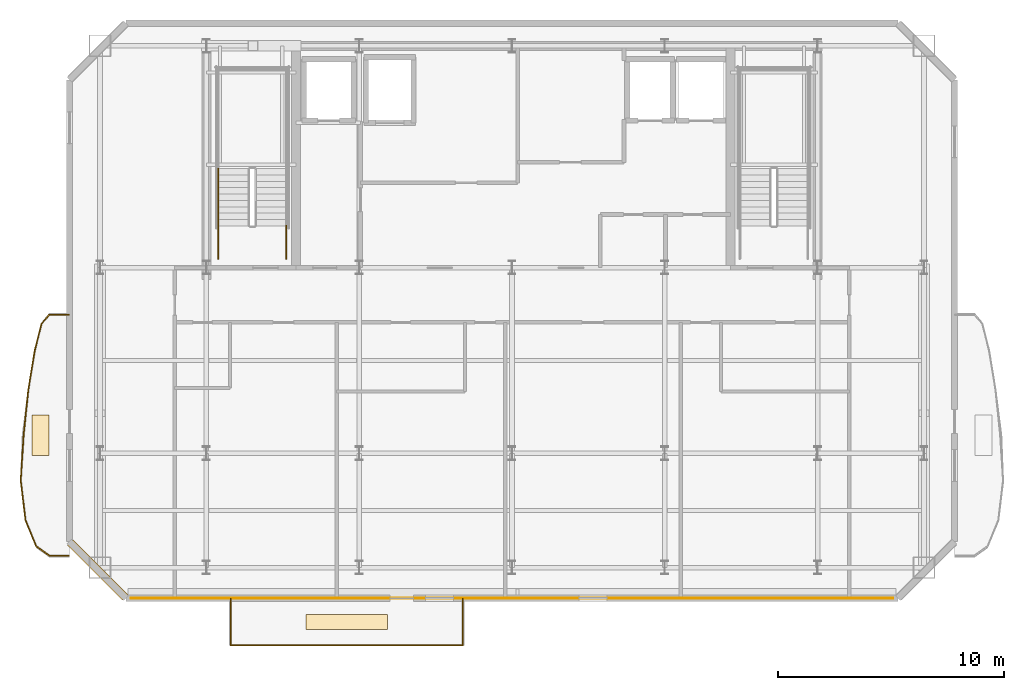
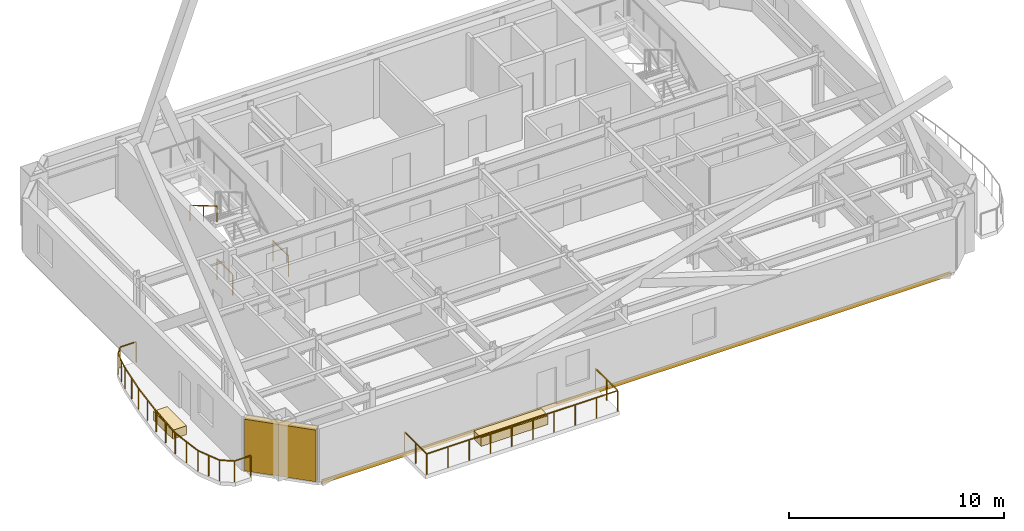
# One storey, part 5 of 7: 16 railings, 3 coverings, 1 shading device.
"""IFC4 building model written with IfcOpenShell, lengths in metres."""

from ifc_helpers import new_model, si_unit, direction, frame, origin, origin_2d, place, context, subcontext, project, spatial, rectangle, extrude, material, layer, layer_set, type_object, element, save


model = new_model("IFC4")

# Units and contexts
model_context = context("Model", 3, precision=1e-05, world=origin(), true_north=direction((0.0, 1.0)))
body_context = subcontext(model_context, "Body", "Model", "MODEL_VIEW")
ifc_project = project(units=[si_unit("LENGTHUNIT", "METRE"), si_unit("AREAUNIT", "SQUARE_METRE"), si_unit("VOLUMEUNIT", "CUBIC_METRE"), si_unit("PLANEANGLEUNIT", "RADIAN"), si_unit("MASSUNIT", "GRAM", prefix="KILO")], contexts=[model_context])

# Site, building, storey
site_placement = place(None, origin())
site = spatial("IfcSite", under=ifc_project, at=site_placement, CompositionType="ELEMENT")
building_placement = place(site_placement, origin())
building = spatial("IfcBuilding", under=site, at=building_placement, Name="Haevon Station Towers", CompositionType="ELEMENT")
storey_placement = place(building_placement, frame((0.0, 0.0, 259.199951171875)))
storey = spatial("IfcBuildingStorey", under=building, at=storey_placement, Name="L72", CompositionType="ELEMENT", Elevation=259.199951171875)

# Covering
ifc_material_1 = material(Name="Anodised aluminium 6063-T6", Category="aluminium")
ifc_layer_1 = layer(ifc_material_1, 0.0400390625)
ifc_layer_set_1 = layer_set([ifc_layer_1], Name="Anodised aluminium 6063-T6")
covering_type_1 = type_object("IfcCoveringType", Name="COV-CLAD40", PredefinedType="CLADDING", material=ifc_layer_set_1)
covering_1_placement = place(storey_placement, frame((37.5, 23.60009765625, -0.23974609375), z_axis=(0.0, 0.0, 1.0), x_axis=(1.0, 0.0, 0.0)))
element("IfcCovering", 1, at=covering_1_placement, inside=storey, type_object=covering_type_1, Name="Tower 1 L72 Spandrel Fascia Cladding", PredefinedType="CLADDING", context=body_context, shape_type="SweptSolid", body=[
    extrude(rectangle(XDim=33.699951171875, YDim=0.0400390625, at=origin_2d()), origin(), (0.0, 0.0, 1.0), 0.239990234375),
])

# Railings
ifc_material_2 = material(Name="Steel S355", Category="steel")
railing_type_1 = type_object("IfcRailingType", Name="GRD-EXT1200", PredefinedType="GUARDRAIL", material=ifc_material_2)
railing_1_placement = place(storey_placement, frame((17.926513671875, 36.1220703125, 0.0)))
element("IfcRailing", 2, at=railing_1_placement, inside=storey, type_object=railing_type_1, Name="L72 Perimeter Guardrail 1", PredefinedType="GUARDRAIL", context=body_context, shape_type="SweptSolid", body=[
    extrude(rectangle(XDim=0.048095703125, YDim=0.048095703125, at=origin_2d()), frame((0.0, 0.0, 1.17578125), z_axis=(-0.999997476494, -0.002246554286, 0.0), x_axis=(0.002246554286, -0.999997476494, 0.0)), (0.0, 0.0, 1.0), 0.869384765625),
    extrude(rectangle(XDim=0.0419921875, YDim=0.0419921875, at=origin_2d()), origin(), (0.0, 0.0, 1.0), 1.15185546875),
    extrude(rectangle(XDim=0.0419921875, YDim=0.0419921875, at=origin_2d()), frame((-0.869384765625, -0.001953125, 0.0)), (0.0, 0.0, 1.0), 1.15185546875),
])
railing_2_placement = place(storey_placement, frame((17.05712890625, 36.1201171875, 0.0)))
element("IfcRailing", 3, at=railing_2_placement, inside=storey, type_object=railing_type_1, Name="L72 Perimeter Guardrail 2", PredefinedType="GUARDRAIL", context=body_context, shape_type="SweptSolid", body=[
    extrude(rectangle(XDim=0.048095703125, YDim=0.048095703125, at=origin_2d()), frame((0.0, 0.0, 1.17578125), z_axis=(-0.643575732085, -0.76538243844, 0.0), x_axis=(0.76538243844, -0.643575732085, 0.0)), (0.0, 0.0, 1.0), 0.537109375),
    extrude(rectangle(XDim=0.0419921875, YDim=0.0419921875, at=origin_2d()), origin(), (0.0, 0.0, 1.0), 1.15185546875),
    extrude(rectangle(XDim=0.0419921875, YDim=0.0419921875, at=origin_2d()), frame((-0.345703125, -0.4111328125, 0.0)), (0.0, 0.0, 1.0), 1.15185546875),
])
railing_3_placement = place(storey_placement, frame((16.71142578125, 35.708984375, 0.0)))
element("IfcRailing", 4, at=railing_3_placement, inside=storey, type_object=railing_type_1, Name="L72 Perimeter Guardrail 3", PredefinedType="GUARDRAIL", context=body_context, shape_type="SweptSolid", body=[
    extrude(rectangle(XDim=0.048095703125, YDim=0.048095703125, at=origin_2d()), frame((0.0, 0.0, 1.17578125), z_axis=(-0.243392420276, -0.969927899254, 0.0), x_axis=(0.969927899254, -0.243392420276, 0.0)), (0.0, 0.0, 1.0), 1.206787109375),
    extrude(rectangle(XDim=0.0419921875, YDim=0.0419921875, at=origin_2d()), origin(), (0.0, 0.0, 1.0), 1.15185546875),
    extrude(rectangle(XDim=0.0419921875, YDim=0.0419921875, at=origin_2d()), frame((-0.14697265625, -0.585205078125, 0.0)), (0.0, 0.0, 1.0), 1.15185546875),
    extrude(rectangle(XDim=0.0419921875, YDim=0.0419921875, at=origin_2d()), frame((-0.293701171875, -1.17041015625, 0.0)), (0.0, 0.0, 1.0), 1.15185546875),
])
railing_4_placement = place(storey_placement, frame((16.417724609375, 34.53857421875, 0.0)))
element("IfcRailing", 5, at=railing_4_placement, inside=storey, type_object=railing_type_1, Name="L72 Perimeter Guardrail 4", PredefinedType="GUARDRAIL", context=body_context, shape_type="SweptSolid", body=[
    extrude(rectangle(XDim=0.048095703125, YDim=0.048095703125, at=origin_2d()), frame((0.0, 0.0, 1.17578125), z_axis=(-0.162232317079, -0.986752590721, 0.0), x_axis=(0.986752590721, -0.162232317079, 0.0)), (0.0, 0.0, 1.0), 1.772705078125),
    extrude(rectangle(XDim=0.0419921875, YDim=0.0419921875, at=origin_2d()), origin(), (0.0, 0.0, 1.0), 1.15185546875),
    extrude(rectangle(XDim=0.0419921875, YDim=0.0419921875, at=origin_2d()), frame((-0.143798828125, -0.87451171875, 0.0)), (0.0, 0.0, 1.0), 1.15185546875),
    extrude(rectangle(XDim=0.0419921875, YDim=0.0419921875, at=origin_2d()), frame((-0.28759765625, -1.749267578125, 0.0)), (0.0, 0.0, 1.0), 1.15185546875),
])
railing_5_placement = place(storey_placement, frame((16.130126953125, 32.789306640625, 0.0)))
element("IfcRailing", 6, at=railing_5_placement, inside=storey, type_object=railing_type_1, Name="L72 Perimeter Guardrail 5", PredefinedType="GUARDRAIL", context=body_context, shape_type="SweptSolid", body=[
    extrude(rectangle(XDim=0.048095703125, YDim=0.048095703125, at=origin_2d()), frame((0.0, 0.0, 1.17578125), z_axis=(-0.102549270738, -0.994727926154, 0.0), x_axis=(0.994727926154, -0.102549270738, 0.0)), (0.0, 0.0, 1.0), 1.999755859375),
    extrude(rectangle(XDim=0.0419921875, YDim=0.0419921875, at=origin_2d()), origin(), (0.0, 0.0, 1.0), 1.15185546875),
    extrude(rectangle(XDim=0.0419921875, YDim=0.0419921875, at=origin_2d()), frame((-0.1025390625, -0.99462890625, 0.0)), (0.0, 0.0, 1.0), 1.15185546875),
    extrude(rectangle(XDim=0.0419921875, YDim=0.0419921875, at=origin_2d()), frame((-0.205078125, -1.9892578125, 0.0)), (0.0, 0.0, 1.0), 1.15185546875),
])
railing_6_placement = place(storey_placement, frame((15.925048828125, 30.800048828125, 0.0)))
element("IfcRailing", 7, at=railing_6_placement, inside=storey, type_object=railing_type_1, Name="L72 Perimeter Guardrail 6", PredefinedType="GUARDRAIL", context=body_context, shape_type="SweptSolid", body=[
    extrude(rectangle(XDim=0.048095703125, YDim=0.048095703125, at=origin_2d()), frame((0.0, 0.0, 1.17578125), z_axis=(-0.06356545678, -0.997977671446, 0.0), x_axis=(0.997977671446, -0.06356545678, 0.0)), (0.0, 0.0, 1.0), 1.997314453125),
    extrude(rectangle(XDim=0.0419921875, YDim=0.0419921875, at=origin_2d()), origin(), (0.0, 0.0, 1.0), 1.15185546875),
    extrude(rectangle(XDim=0.0419921875, YDim=0.0419921875, at=origin_2d()), frame((-0.0634765625, -0.99658203125, 0.0)), (0.0, 0.0, 1.0), 1.15185546875),
    extrude(rectangle(XDim=0.0419921875, YDim=0.0419921875, at=origin_2d()), frame((-0.126953125, -1.9931640625, 0.0)), (0.0, 0.0, 1.0), 1.15185546875),
])
railing_7_placement = place(storey_placement, frame((15.798095703125, 28.806884765625, 0.0)))
element("IfcRailing", 8, at=railing_7_placement, inside=storey, type_object=railing_type_1, Name="L72 Perimeter Guardrail 7", PredefinedType="GUARDRAIL", context=body_context, shape_type="SweptSolid", body=[
    extrude(rectangle(XDim=0.048095703125, YDim=0.048095703125, at=origin_2d()), frame((0.0, 0.0, 1.17578125), z_axis=(0.117711016598, -0.993047892386, 0.0), x_axis=(0.993047892386, 0.117711016598, 0.0)), (0.0, 0.0, 1.0), 1.7587890625),
    extrude(rectangle(XDim=0.0419921875, YDim=0.0419921875, at=origin_2d()), origin(), (0.0, 0.0, 1.0), 1.15185546875),
    extrude(rectangle(XDim=0.0419921875, YDim=0.0419921875, at=origin_2d()), frame((0.103515625, -0.873291015625, 0.0)), (0.0, 0.0, 1.0), 1.15185546875),
    extrude(rectangle(XDim=0.0419921875, YDim=0.0419921875, at=origin_2d()), frame((0.20703125, -1.74658203125, 0.0)), (0.0, 0.0, 1.0), 1.15185546875),
])
railing_8_placement = place(storey_placement, frame((16.005126953125, 27.060302734375, 0.0)))
element("IfcRailing", 9, at=railing_8_placement, inside=storey, type_object=railing_type_1, Name="L72 Perimeter Guardrail 8", PredefinedType="GUARDRAIL", context=body_context, shape_type="SweptSolid", body=[
    extrude(rectangle(XDim=0.048095703125, YDim=0.048095703125, at=origin_2d()), frame((0.0, 0.0, 1.17578125), z_axis=(0.379437630332, -0.925217317546, 0.0), x_axis=(0.925217317546, 0.379437630332, 0.0)), (0.0, 0.0, 1.0), 1.263671875),
    extrude(rectangle(XDim=0.0419921875, YDim=0.0419921875, at=origin_2d()), origin(), (0.0, 0.0, 1.0), 1.15185546875),
    extrude(rectangle(XDim=0.0419921875, YDim=0.0419921875, at=origin_2d()), frame((0.23974609375, -0.58447265625, 0.0)), (0.0, 0.0, 1.0), 1.15185546875),
    extrude(rectangle(XDim=0.0419921875, YDim=0.0419921875, at=origin_2d()), frame((0.4794921875, -1.169189453125, 0.0)), (0.0, 0.0, 1.0), 1.15185546875),
])
railing_9_placement = place(storey_placement, frame((16.484619140625, 25.89111328125, 0.0)))
element("IfcRailing", 10, at=railing_9_placement, inside=storey, type_object=railing_type_1, Name="L72 Perimeter Guardrail 9", PredefinedType="GUARDRAIL", context=body_context, shape_type="SweptSolid", body=[
    extrude(rectangle(XDim=0.048095703125, YDim=0.048095703125, at=origin_2d()), frame((0.0, 0.0, 1.17578125), z_axis=(0.812092296848, -0.583529006477, 0.0), x_axis=(0.583529006477, 0.812092296848, 0.0)), (0.0, 0.0, 1.0), 0.705078125),
    extrude(rectangle(XDim=0.0419921875, YDim=0.0419921875, at=origin_2d()), origin(), (0.0, 0.0, 1.0), 1.15185546875),
    extrude(rectangle(XDim=0.0419921875, YDim=0.0419921875, at=origin_2d()), frame((0.572509765625, -0.411376953125, 0.0)), (0.0, 0.0, 1.0), 1.15185546875),
])
railing_10_placement = place(storey_placement, frame((17.05712890625, 25.479736328125, 0.0)))
element("IfcRailing", 11, at=railing_10_placement, inside=storey, type_object=railing_type_1, Name="L72 Perimeter Guardrail 10", PredefinedType="GUARDRAIL", context=body_context, shape_type="SweptSolid", body=[
    extrude(rectangle(XDim=0.048095703125, YDim=0.048095703125, at=origin_2d()), frame((0.0, 0.0, 1.17578125), z_axis=(0.999997476494, -0.002246554286, 0.0), x_axis=(0.002246554286, 0.999997476494, 0.0)), (0.0, 0.0, 1.0), 0.869384765625),
    extrude(rectangle(XDim=0.0419921875, YDim=0.0419921875, at=origin_2d()), origin(), (0.0, 0.0, 1.0), 1.15185546875),
    extrude(rectangle(XDim=0.0419921875, YDim=0.0419921875, at=origin_2d()), frame((0.869384765625, -0.001953125, 0.0)), (0.0, 0.0, 1.0), 1.15185546875),
])
railing_11_placement = place(storey_placement, frame((25.078369140625, 21.515869140625, 0.0)))
element("IfcRailing", 12, at=railing_11_placement, inside=storey, type_object=railing_type_1, Name="L72 Perimeter Guardrail 1", PredefinedType="GUARDRAIL", context=body_context, shape_type="SweptSolid", body=[
    extrude(rectangle(XDim=0.048095703125, YDim=0.048095703125, at=origin_2d()), frame((0.0, 0.0, 1.17578125), z_axis=(1.0, 0.0, 0.0), x_axis=(0.0, 1.0, 0.0)), (0.0, 0.0, 1.0), 10.2431640625),
    extrude(rectangle(XDim=0.0419921875, YDim=0.0419921875, at=origin_2d()), origin(), (0.0, 0.0, 1.0), 1.15185546875),
    extrude(rectangle(XDim=0.0419921875, YDim=0.0419921875, at=origin_2d()), frame((1.13818359375, 0.0, 0.0)), (0.0, 0.0, 1.0), 1.15185546875),
    extrude(rectangle(XDim=0.0419921875, YDim=0.0419921875, at=origin_2d()), frame((2.2763671875, 0.0, 0.0)), (0.0, 0.0, 1.0), 1.15185546875),
    extrude(rectangle(XDim=0.0419921875, YDim=0.0419921875, at=origin_2d()), frame((3.414306640625, 0.0, 0.0)), (0.0, 0.0, 1.0), 1.15185546875),
    extrude(rectangle(XDim=0.0419921875, YDim=0.0419921875, at=origin_2d()), frame((4.552490234375, 0.0, 0.0)), (0.0, 0.0, 1.0), 1.15185546875),
    extrude(rectangle(XDim=0.0419921875, YDim=0.0419921875, at=origin_2d()), frame((5.690673828125, 0.0, 0.0)), (0.0, 0.0, 1.0), 1.15185546875),
    extrude(rectangle(XDim=0.0419921875, YDim=0.0419921875, at=origin_2d()), frame((6.828857421875, 0.0, 0.0)), (0.0, 0.0, 1.0), 1.15185546875),
    extrude(rectangle(XDim=0.0419921875, YDim=0.0419921875, at=origin_2d()), frame((7.966796875, 0.0, 0.0)), (0.0, 0.0, 1.0), 1.15185546875),
    extrude(rectangle(XDim=0.0419921875, YDim=0.0419921875, at=origin_2d()), frame((9.10498046875, 0.0, 0.0)), (0.0, 0.0, 1.0), 1.15185546875),
    extrude(rectangle(XDim=0.0419921875, YDim=0.0419921875, at=origin_2d()), frame((10.2431640625, 0.0, 0.0)), (0.0, 0.0, 1.0), 1.15185546875),
])
railing_12_placement = place(storey_placement, frame((35.321533203125, 21.515869140625, 0.0)))
element("IfcRailing", 13, at=railing_12_placement, inside=storey, type_object=railing_type_1, Name="L72 Perimeter Guardrail 2", PredefinedType="GUARDRAIL", context=body_context, shape_type="SweptSolid", body=[
    extrude(rectangle(XDim=0.048095703125, YDim=0.048095703125, at=origin_2d()), frame((0.0, 0.0, 1.17578125), z_axis=(0.0, 1.0, 0.0), x_axis=(-1.0, 0.0, 0.0)), (0.0, 0.0, 1.0), 2.063232421875),
    extrude(rectangle(XDim=0.0419921875, YDim=0.0419921875, at=origin_2d()), origin(), (0.0, 0.0, 1.0), 1.15185546875),
    extrude(rectangle(XDim=0.0419921875, YDim=0.0419921875, at=origin_2d()), frame((0.0, 1.03173828125, 0.0)), (0.0, 0.0, 1.0), 1.15185546875),
    extrude(rectangle(XDim=0.0419921875, YDim=0.0419921875, at=origin_2d()), frame((0.0, 2.063232421875, 0.0)), (0.0, 0.0, 1.0), 1.15185546875),
])
railing_13_placement = place(storey_placement, frame((25.078369140625, 23.5791015625, 0.0)))
element("IfcRailing", 14, at=railing_13_placement, inside=storey, type_object=railing_type_1, Name="L72 Perimeter Guardrail 3", PredefinedType="GUARDRAIL", context=body_context, shape_type="SweptSolid", body=[
    extrude(rectangle(XDim=0.048095703125, YDim=0.048095703125, at=origin_2d()), frame((0.0, 0.0, 1.17578125), z_axis=(0.0, -1.0, 0.0), x_axis=(1.0, 0.0, 0.0)), (0.0, 0.0, 1.0), 2.063232421875),
    extrude(rectangle(XDim=0.0419921875, YDim=0.0419921875, at=origin_2d()), origin(), (0.0, 0.0, 1.0), 1.15185546875),
    extrude(rectangle(XDim=0.0419921875, YDim=0.0419921875, at=origin_2d()), frame((0.0, -1.03173828125, 0.0)), (0.0, 0.0, 1.0), 1.15185546875),
    extrude(rectangle(XDim=0.0419921875, YDim=0.0419921875, at=origin_2d()), frame((0.0, -2.063232421875, 0.0)), (0.0, 0.0, 1.0), 1.15185546875),
])
railing_type_2 = type_object("IfcRailingType", Name="GRD-STR1200", PredefinedType="GUARDRAIL", material=ifc_material_2)
for number, where, name in (
    (15, (27.530029296875, 38.60009765625, 0.0), "L72 ST1 Stair Guard 8"),
    (16, (24.530029296875, 38.60009765625, 0.0), "L72 ST1 Stair Guard 9"),
):
    element("IfcRailing", number, at=place(storey_placement, frame(where)), inside=storey, type_object=railing_type_2, Name=name, PredefinedType="GUARDRAIL", context=body_context, shape_type="SweptSolid", body=[
        extrude(rectangle(XDim=0.048095703125, YDim=0.048095703125, at=origin_2d()), frame((0.0, 0.0, 1.17578125), z_axis=(0.0, 1.0, 0.0), x_axis=(-1.0, 0.0, 0.0)), (0.0, 0.0, 1.0), 1.449951171875),
        extrude(rectangle(XDim=0.0419921875, YDim=0.0419921875, at=origin_2d()), origin(), (0.0, 0.0, 1.0), 1.15185546875),
        extrude(rectangle(XDim=0.0419921875, YDim=0.0419921875, at=origin_2d()), frame((0.0, 1.449951171875, 0.0)), (0.0, 0.0, 1.0), 1.15185546875),
    ])
railing_type_3 = type_object("IfcRailingType", Name="HND-STR900", PredefinedType="HANDRAIL", material=ifc_material_2)
railing_14_placement = place(storey_placement, frame((24.530029296875, 42.570068359375, 1.81494140625)))
element("IfcRailing", 17, at=railing_14_placement, inside=storey, type_object=railing_type_3, Name="L72 ST1 Stair Handrail 2", PredefinedType="HANDRAIL", context=body_context, shape_type="SweptSolid", body=[
    extrude(rectangle(XDim=0.048095703125, YDim=0.048095703125, at=origin_2d()), frame((0.0, 0.0, 0.8759765625), z_axis=(0.0, -0.86152411907, 0.507716645641), x_axis=(1.0, 0.0, 0.0)), (0.0, 0.0, 1.0), 2.925048828125),
    extrude(rectangle(XDim=0.0419921875, YDim=0.0419921875, at=origin_2d()), origin(), (0.0, 0.0, 1.0), 0.851806640625),
    extrude(rectangle(XDim=0.0419921875, YDim=0.0419921875, at=origin_2d()), frame((0.0, -1.260009765625, 0.74267578125)), (0.0, 0.0, 1.0), 0.851806640625),
    extrude(rectangle(XDim=0.0419921875, YDim=0.0419921875, at=origin_2d()), frame((0.0, -2.52001953125, 1.485107421875)), (0.0, 0.0, 1.0), 0.851806640625),
])

# Coverings
ifc_material_3 = material(Name="Architectural planter GRC", Category="concrete")
ifc_layer_2 = layer(ifc_material_3, 0.550048828125)
ifc_layer_set_2 = layer_set([ifc_layer_2], Name="Architectural planter GRC")
covering_type_2 = type_object("IfcCoveringType", Name="PLN-GRC550", PredefinedType="MOLDING", material=ifc_layer_set_2)
covering_2_placement = place(storey_placement, frame((16.666748046875, 30.800048828125, 0.0), z_axis=(0.0, 0.0, 1.0), x_axis=(1.0, 0.0, 0.0)))
element("IfcCovering", 18, at=covering_2_placement, inside=storey, type_object=covering_type_2, Name="Tower 1 L72 Scalloped Balcony PLANTER", PredefinedType="MOLDING", context=body_context, shape_type="SweptSolid", body=[
    extrude(rectangle(XDim=0.75, YDim=1.800048828125, at=origin_2d()), origin(), (0.0, 0.0, 1.0), 0.5),
])
covering_3_placement = place(storey_placement, frame((30.199951171875, 22.547607421875, 0.0), z_axis=(0.0, 0.0, 1.0), x_axis=(1.0, 0.0, 0.0)))
element("IfcCovering", 19, at=covering_3_placement, inside=storey, type_object=covering_type_2, Name="Tower 1 L72 Facade Trough PLANTER", PredefinedType="MOLDING", context=body_context, shape_type="SweptSolid", body=[
    extrude(rectangle(XDim=3.60009765625, YDim=0.64990234375, at=origin_2d()), origin(), (0.0, 0.0, 1.0), 0.5),
])

# Shading device
ifc_layer_3 = layer(ifc_material_1, 0.139892578125)
ifc_layer_set_3 = layer_set([ifc_layer_3], Name="Anodised aluminium 6063-T6")
shading_device_type = type_object("IfcShadingDeviceType", Name="SHD-WIND-BAFFLE", PredefinedType="SHUTTER", material=ifc_layer_set_3)
shading_device_placement = place(storey_placement, frame((19.199951171875, 24.85009765625, 0.05029296875), z_axis=(0.0, 0.0, 1.0), x_axis=(-0.707106781187, 0.707106781187, 0.0)))
element("IfcShadingDevice", 20, at=shading_device_placement, inside=storey, type_object=shading_device_type, Name="Tower 1 L72 Wind-Corner Aerofoil Baffle SWC", PredefinedType="SHUTTER", context=body_context, shape_type="SweptSolid", body=[
    extrude(rectangle(XDim=3.435546875, YDim=0.340087890625, at=origin_2d()), origin(), (0.0, 0.0, 1.0), 2.929931640625),
])

save(model, "model.ifc")
